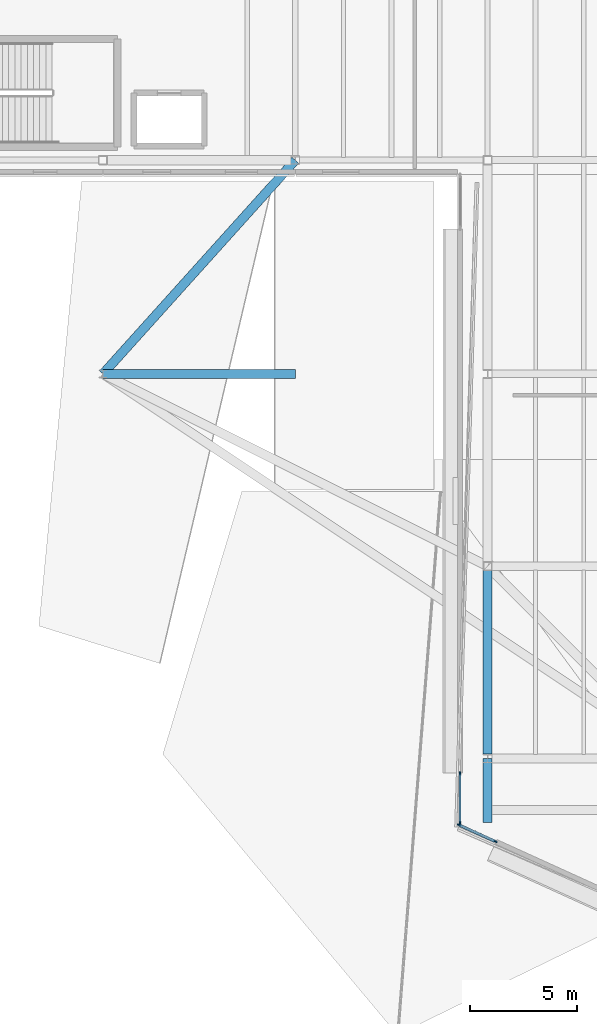
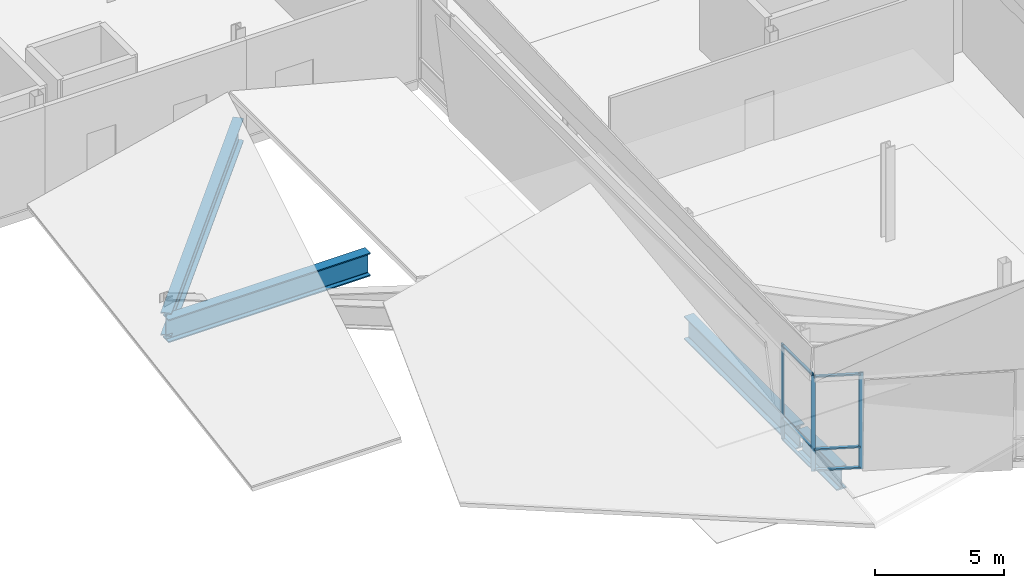
# One storey, part 8 of 41: 10 members, 4 beams, 2 elements without a shape of their own.
"""IFC4 building model written with IfcOpenShell, lengths in metres."""

from ifc_helpers import new_model, si_unit, direction, frame, origin, origin_2d, place, context, subcontext, project, spatial, rectangle, i_section, extrude, material, material_profile, profile_set, type_object, element, aggregate, save


model = new_model("IFC4")

# Units and contexts
model_context = context("Model", 3, precision=1e-05, world=origin(), true_north=direction((0.0, 1.0)))
body_context = subcontext(model_context, "Body", "Model", "MODEL_VIEW")
ifc_project = project(units=[si_unit("LENGTHUNIT", "METRE"), si_unit("AREAUNIT", "SQUARE_METRE"), si_unit("VOLUMEUNIT", "CUBIC_METRE"), si_unit("PLANEANGLEUNIT", "RADIAN"), si_unit("MASSUNIT", "GRAM", prefix="KILO")], contexts=[model_context])

# Site, building, storey
site_placement = place(None, origin())
site = spatial("IfcSite", under=ifc_project, at=site_placement, CompositionType="ELEMENT")
building_placement = place(site_placement, origin())
building = spatial("IfcBuilding", under=site, at=building_placement, Name="Trimount Lyric Opera House", CompositionType="ELEMENT")
storey_placement = place(building_placement, frame((0.0, 0.0, 20.0)))
storey = spatial("IfcBuildingStorey", under=building, at=storey_placement, Name="L04", CompositionType="ELEMENT", Elevation=20.0)

# Beams
ifc_material_1 = material(Name="Steel ASTM A992 Grade 50", Category="steel")
ifc_material_profile_1 = material_profile(ifc_material_1, i_section(OverallWidth=0.427001953125, OverallDepth=1.092041015625, WebThickness=0.031005859375, FlangeThickness=0.055908203125, FilletRadius=0.02490234375, at=origin_2d()), Name="W40X397")
ifc_profile_set_1 = profile_set([ifc_material_profile_1], Name="Steel ASTM A992 Grade 50")
beam_type_1 = type_object("IfcBeamType", Name="B-17", PredefinedType="BEAM", material=ifc_profile_set_1)
beam_1_placement = place(storey_placement, frame((27.0, 44.0, -0.24609375), z_axis=(1.0, 0.0, 0.0), x_axis=(0.0, 1.0, 0.0)))
element("IfcBeam", 1, at=beam_1_placement, inside=storey, type_object=beam_type_1, Name="CR-RAF-S1-1 crystal roof support girder", PredefinedType="BEAM", context=body_context, shape_type="SweptSolid", body=[
    extrude(i_section(OverallWidth=0.427001953125, OverallDepth=1.092041015625, WebThickness=0.031005859375, FlangeThickness=0.055908203125, FilletRadius=0.02490234375, at=origin_2d()), origin(), (0.0, 0.0, 1.0), 9.0),
])
beam_2_placement = place(storey_placement, frame((27.0, 44.0, -0.0458984375), z_axis=(0.668964731622, 0.743294146247, 0.0), x_axis=(-0.743294146247, 0.668964731622, 0.0)))
element("IfcBeam", 2, at=beam_2_placement, inside=storey, type_object=beam_type_1, Name="CR-RAF-S1-2 crystal roof support girder", PredefinedType="BEAM", context=body_context, shape_type="SweptSolid", body=[
    extrude(i_section(OverallWidth=0.427001953125, OverallDepth=1.092041015625, WebThickness=0.031005859375, FlangeThickness=0.055908203125, FilletRadius=0.02490234375, at=origin_2d()), origin(), (0.0, 0.0, 1.0), 13.45361328125),
])

# Curtain wall, members
ifc_material_2 = material(Name="Thermally Broken Aluminium and Low-E Glass", Category="aluminium")
curtain_wall_type = type_object("IfcCurtainWallType", Name="CW-02", PredefinedType="NOTDEFINED", material=ifc_material_2)
curtain_wall_1_placement = place(storey_placement, origin())
curtain_wall_1 = element("IfcCurtainWall", 3, at=curtain_wall_1_placement, inside=storey, type_object=curtain_wall_type, Name="L04 crystal fold glazed slit 304", PredefinedType="NOTDEFINED")
ifc_material_3 = material(Name="Anodised Aluminium 6063-T6", Category="aluminium")
ifc_material_profile_2 = material_profile(ifc_material_3, rectangle(XDim=0.06494140625, YDim=0.179931640625, at=origin_2d()), Name="ALU-MULL-65X180")
ifc_profile_set_2 = profile_set([ifc_material_profile_2], Name="Anodised Aluminium 6063-T6")
member_type_1 = type_object("IfcMemberType", Name="ML-02", PredefinedType="MULLION", material=ifc_profile_set_2)
member_1_placement = place(storey_placement, frame((45.363525390625, 22.119384765625, 0.0), z_axis=(0.0, 0.0, 1.0), x_axis=(-0.41376368198, -0.910384322951, 0.0)))
member_1 = element("IfcMember", 4, at=member_1_placement, type_object=member_type_1, Name="CW-02 mullion 1", PredefinedType="MULLION", context=body_context, shape_type="SweptSolid", body=[
    extrude(rectangle(XDim=0.06494140625, YDim=0.179931640625, at=origin_2d()), origin(), (0.0, 0.0, 1.0), 4.5400390625),
])
member_2_placement = place(storey_placement, frame((43.675537109375, 22.886474609375, 0.0), z_axis=(0.0, 0.0, 1.0), x_axis=(-0.41376368198, -0.910384322951, 0.0)))
member_2 = element("IfcMember", 5, at=member_2_placement, type_object=member_type_1, Name="CW-02 mullion 2", PredefinedType="MULLION", context=body_context, shape_type="SweptSolid", body=[
    extrude(rectangle(XDim=0.06494140625, YDim=0.179931640625, at=origin_2d()), origin(), (0.0, 0.0, 1.0), 4.5400390625),
])

curtain_wall_2_placement = place(storey_placement, origin())
curtain_wall_2 = element("IfcCurtainWall", 6, at=curtain_wall_2_placement, inside=storey, type_object=curtain_wall_type, Name="L04 crystal fold glazed slit 305", PredefinedType="NOTDEFINED")
ifc_material_4 = material(Name="Anodised Aluminium 6063-T6", Category="aluminium")
ifc_material_profile_3 = material_profile(ifc_material_4, rectangle(XDim=0.06005859375, YDim=0.14990234375, at=origin_2d()), Name="ALU-MULL-60X150")
ifc_profile_set_3 = profile_set([ifc_material_profile_3], Name="Anodised Aluminium 6063-T6")
member_type_2 = type_object("IfcMemberType", Name="ML-03", PredefinedType="MULLION", material=ifc_profile_set_3)
member_3_placement = place(storey_placement, frame((43.7099609375, 23.0, 0.0), z_axis=(0.0, 0.0, 1.0), x_axis=(-1.0, 0.0, 0.0)))
member_3 = element("IfcMember", 7, at=member_3_placement, type_object=member_type_2, Name="CW-02 mullion 1", PredefinedType="MULLION", context=body_context, shape_type="SweptSolid", body=[
    extrude(rectangle(XDim=0.06005859375, YDim=0.14990234375, at=origin_2d()), origin(), (0.0, 0.0, 1.0), 4.5400390625),
])
member_4_placement = place(storey_placement, frame((43.7099609375, 25.300048828125, 0.0), z_axis=(0.0, 0.0, 1.0), x_axis=(-1.0, 0.0, 0.0)))
member_4 = element("IfcMember", 8, at=member_4_placement, type_object=member_type_2, Name="CW-02 mullion 2", PredefinedType="MULLION", context=body_context, shape_type="SweptSolid", body=[
    extrude(rectangle(XDim=0.06005859375, YDim=0.14990234375, at=origin_2d()), origin(), (0.0, 0.0, 1.0), 4.5400390625),
])

# Beams
ifc_material_5 = material(Name="Steel ASTM A992 Grade 50", Category="steel")
ifc_material_profile_4 = material_profile(ifc_material_5, i_section(OverallWidth=0.427001953125, OverallDepth=1.092041015625, WebThickness=0.031005859375, FlangeThickness=0.055908203125, FilletRadius=0.02490234375, at=origin_2d()), Name="W40X397")
ifc_profile_set_4 = profile_set([ifc_material_profile_4], Name="Steel ASTM A992 Grade 50")
beam_type_2 = type_object("IfcBeamType", Name="TG-02", PredefinedType="USERDEFINED", material=ifc_profile_set_4)
beam_3_placement = place(storey_placement, frame((45.0, 26.20849609375, -0.845947265625), z_axis=(0.0, 1.0, 0.0), x_axis=(-1.0, 0.0, 0.0)))
element("IfcBeam", 9, at=beam_3_placement, inside=storey, type_object=beam_type_2, Name="L04 girder Y-1196", ObjectType="TRANSFER_GIRDER", PredefinedType="USERDEFINED", context=body_context, shape_type="SweptSolid", body=[
    extrude(i_section(OverallWidth=0.427001953125, OverallDepth=1.092041015625, WebThickness=0.031005859375, FlangeThickness=0.055908203125, FilletRadius=0.02490234375, at=origin_2d()), origin(), (0.0, 0.0, 1.0), 8.58837890625),
])
beam_4_placement = place(storey_placement, frame((45.0, 23.0, -0.845947265625), z_axis=(0.0, 1.0, 0.0), x_axis=(-1.0, 0.0, 0.0)))
element("IfcBeam", 10, at=beam_4_placement, inside=storey, type_object=beam_type_2, Name="L04 crystal truss 2 inner chord", ObjectType="TRANSFER_GIRDER", PredefinedType="USERDEFINED", context=body_context, shape_type="SweptSolid", body=[
    extrude(i_section(OverallWidth=0.427001953125, OverallDepth=1.092041015625, WebThickness=0.031005859375, FlangeThickness=0.055908203125, FilletRadius=0.02490234375, at=origin_2d()), origin(), (0.0, 0.0, 1.0), 3.0),
])

# Member
ifc_material_6 = material(Name="Anodised Aluminium 6063-T6", Category="aluminium")
ifc_material_profile_5 = material_profile(ifc_material_6, rectangle(XDim=0.135009765625, YDim=0.06494140625, at=origin_2d()), Name="ALU-TRAN-65X135")
ifc_profile_set_5 = profile_set([ifc_material_profile_5], Name="Anodised Aluminium 6063-T6")
member_type_3 = type_object("IfcMemberType", Name="TR-02", PredefinedType="USERDEFINED", material=ifc_profile_set_5)
member_5_placement = place(storey_placement, frame((45.333740234375, 22.1328125, 0.0673828125), z_axis=(-0.910380497663, 0.413772098473, 0.0), x_axis=(-0.413772098473, -0.910380497663, 0.0)))
member_5 = element("IfcMember", 11, at=member_5_placement, type_object=member_type_3, Name="CW-02 transom 1.1", ObjectType="TRANSOM", PredefinedType="USERDEFINED", context=body_context, shape_type="SweptSolid", body=[
    extrude(rectangle(XDim=0.135009765625, YDim=0.06494140625, at=origin_2d()), origin(), (0.0, 0.0, 1.0), 1.7890625),
])

member_6_placement = place(storey_placement, frame((45.333740234375, 22.1328125, 1.050048828125), z_axis=(-0.910380497663, 0.413772098473, 0.0), x_axis=(-0.413772098473, -0.910380497663, 0.0)))
member_6 = element("IfcMember", 12, at=member_6_placement, type_object=member_type_3, Name="CW-02 transom 1.2", ObjectType="TRANSOM", PredefinedType="USERDEFINED", context=body_context, shape_type="SweptSolid", body=[
    extrude(rectangle(XDim=0.135009765625, YDim=0.06494140625, at=origin_2d()), origin(), (0.0, 0.0, 1.0), 1.7890625),
])

member_7_placement = place(storey_placement, frame((45.333740234375, 22.1328125, 4.472412109375), z_axis=(-0.910380497663, 0.413772098473, 0.0), x_axis=(-0.413772098473, -0.910380497663, 0.0)))
member_7 = element("IfcMember", 13, at=member_7_placement, type_object=member_type_3, Name="CW-02 transom 1.3", ObjectType="TRANSOM", PredefinedType="USERDEFINED", context=body_context, shape_type="SweptSolid", body=[
    extrude(rectangle(XDim=0.135009765625, YDim=0.06494140625, at=origin_2d()), origin(), (0.0, 0.0, 1.0), 1.7890625),
])

aggregate(curtain_wall_1, [member_1, member_2, member_5, member_6, member_7])

ifc_material_7 = material(Name="Anodised Aluminium 6063-T6", Category="aluminium")
ifc_material_profile_6 = material_profile(ifc_material_7, rectangle(XDim=0.114990234375, YDim=0.06005859375, at=origin_2d()), Name="ALU-TRAN-60X115")
ifc_profile_set_6 = profile_set([ifc_material_profile_6], Name="Anodised Aluminium 6063-T6")
member_type_4 = type_object("IfcMemberType", Name="TR-03", PredefinedType="USERDEFINED", material=ifc_profile_set_6)
member_8_placement = place(storey_placement, frame((43.7099609375, 23.030029296875, 0.0576171875), z_axis=(0.0, 1.0, 0.0), x_axis=(-1.0, 0.0, 0.0)))
member_8 = element("IfcMember", 14, at=member_8_placement, type_object=member_type_4, Name="CW-02 transom 1.1", ObjectType="TRANSOM", PredefinedType="USERDEFINED", context=body_context, shape_type="SweptSolid", body=[
    extrude(rectangle(XDim=0.114990234375, YDim=0.06005859375, at=origin_2d()), origin(), (0.0, 0.0, 1.0), 2.239990234375),
])

member_9_placement = place(storey_placement, frame((43.7099609375, 23.030029296875, 1.050048828125), z_axis=(0.0, 1.0, 0.0), x_axis=(-1.0, 0.0, 0.0)))
member_9 = element("IfcMember", 15, at=member_9_placement, type_object=member_type_4, Name="CW-02 transom 1.2", ObjectType="TRANSOM", PredefinedType="USERDEFINED", context=body_context, shape_type="SweptSolid", body=[
    extrude(rectangle(XDim=0.114990234375, YDim=0.06005859375, at=origin_2d()), origin(), (0.0, 0.0, 1.0), 2.239990234375),
])

member_10_placement = place(storey_placement, frame((43.7099609375, 23.030029296875, 4.482421875), z_axis=(0.0, 1.0, 0.0), x_axis=(-1.0, 0.0, 0.0)))
member_10 = element("IfcMember", 16, at=member_10_placement, type_object=member_type_4, Name="CW-02 transom 1.3", ObjectType="TRANSOM", PredefinedType="USERDEFINED", context=body_context, shape_type="SweptSolid", body=[
    extrude(rectangle(XDim=0.114990234375, YDim=0.06005859375, at=origin_2d()), origin(), (0.0, 0.0, 1.0), 2.239990234375),
])

aggregate(curtain_wall_2, [member_3, member_4, member_8, member_9, member_10])

save(model, "model.ifc")
